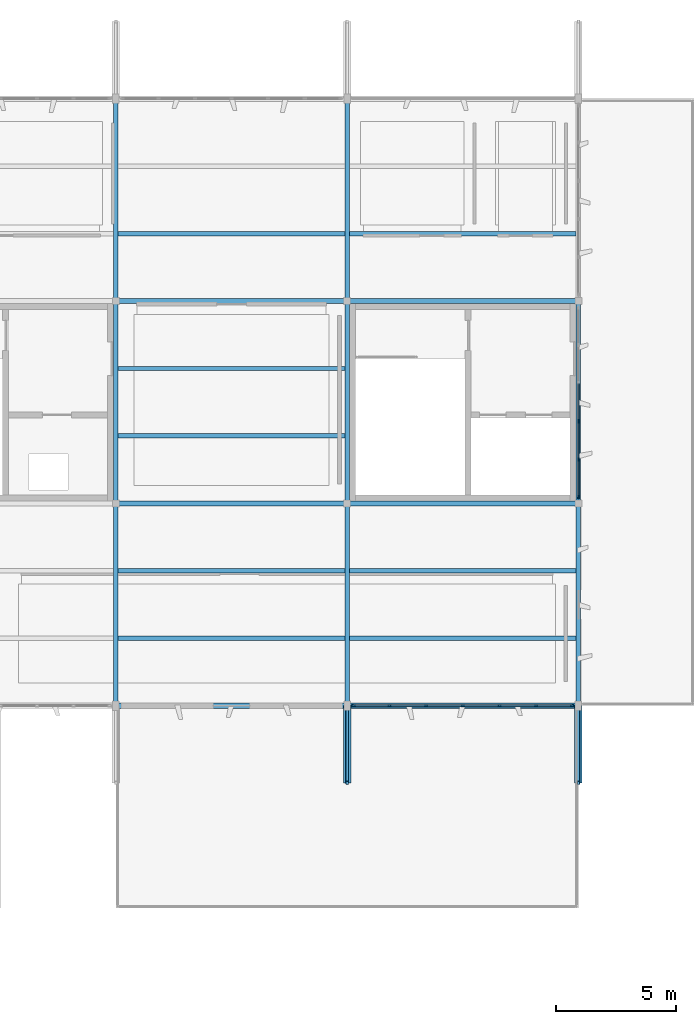
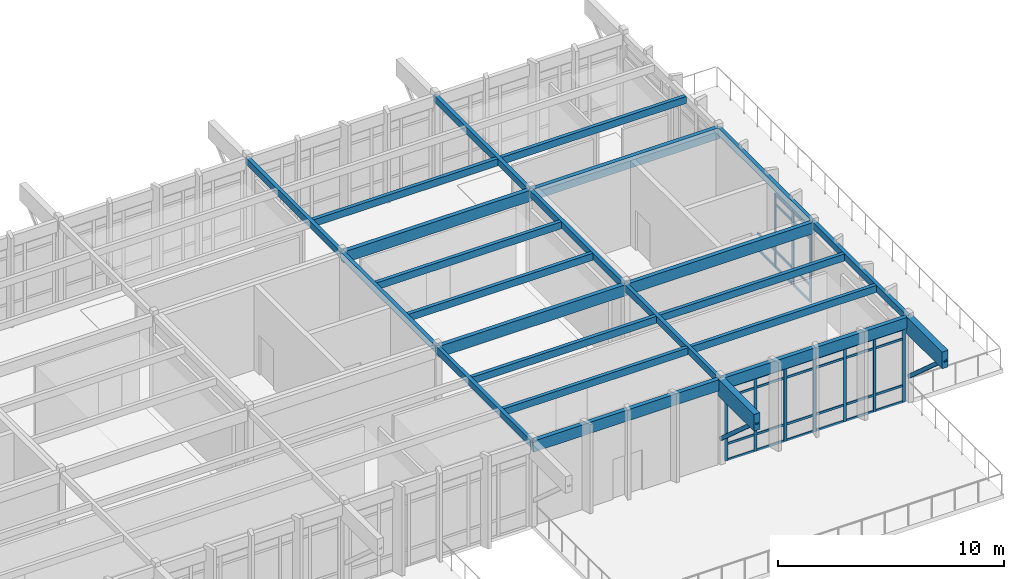
# One storey, part 6 of 19: 46 members, 24 beams, 2 elements without a shape of their own.
"""IFC4 building model written with IfcOpenShell, lengths in metres."""

import ifcopenshell
import ifcopenshell.guid

model = None  # the IFC model being written
_history = None  # IfcOwnerHistory: only IFC2X3 demands one
_inside = {}  # id of a spatial element -> (the spatial element, [elements in it])
_under = {}  # id of a project, library or spatial element -> (it, [spatial elements below it])
_declared = {}  # id of a project -> (the project, [libraries it declares])
_typed = {}  # id of a type object -> (the type object, [elements of that type])
_made_of = {}  # id of a material, layer set ... -> (it, [elements and type objects made of it])


def new_model(schema):
    """Start an empty IFC model of exactly this schema.

    Asked for "IFC4X3", IfcOpenShell would pick the latest addendum, in which some entities
    have other attributes; the version numbers below select the first issue.
    IFC2X3 requires an IfcOwnerHistory on every rooted entity: one is made here for all.
    """
    global model, _history
    if schema == "IFC4X3":
        model = ifcopenshell.file(schema_version=(4, 3, 0, 0))
    else:
        model = ifcopenshell.file(schema=schema)
    _inside.clear()
    _under.clear()
    _declared.clear()
    _typed.clear()
    _made_of.clear()
    _history = None
    if model.schema == "IFC2X3":
        org = make("IfcOrganization", Name="unknown")
        user = make(
            "IfcPersonAndOrganization",
            ThePerson=make("IfcPerson", FamilyName="unknown"),
            TheOrganization=org,
        )
        app = make(
            "IfcApplication",
            ApplicationDeveloper=org,
            Version="unknown",
            ApplicationFullName="unknown",
            ApplicationIdentifier="unknown",
        )
        _history = make(
            "IfcOwnerHistory",
            OwningUser=user,
            OwningApplication=app,
            ChangeAction="ADDED",
            CreationDate=0,
        )
    return model


def make(cls, **values):
    """One entity of the class cls with the attributes given. An attribute that is None is left unset."""
    return model.create_entity(
        cls, **{name: value for name, value in values.items() if value is not None}
    )


def rooted(cls, **values):
    """An entity with a GlobalId (a new one), such as an element, a storey or a relation."""
    return make(cls, GlobalId=ifcopenshell.guid.new(), OwnerHistory=_history, **values)


def si_unit(unit_type, name, prefix=None):
    """IfcSIUnit, for example si_unit("LENGTHUNIT", "METRE", prefix="MILLI")."""
    return make("IfcSIUnit", UnitType=unit_type, Prefix=prefix, Name=name)


def assignment(units):
    """IfcUnitAssignment: the units of a project."""
    return None if units is None else make("IfcUnitAssignment", Units=units)


def point(xyz):
    """IfcCartesianPoint."""
    return None if xyz is None else make("IfcCartesianPoint", Coordinates=xyz)


def direction(xyz):
    """IfcDirection."""
    return None if xyz is None else make("IfcDirection", DirectionRatios=xyz)


def frame(location, z_axis=None, x_axis=None):
    """IfcAxis2Placement3D, a coordinate frame: its origin and axes. An axis left out is left unset."""
    return make(
        "IfcAxis2Placement3D",
        Location=point(location),
        Axis=direction(z_axis),
        RefDirection=direction(x_axis),
    )


def frame_2d(location, x_axis=None):
    """IfcAxis2Placement2D, a coordinate frame in the plane: its origin and x axis."""
    return make(
        "IfcAxis2Placement2D", Location=point(location), RefDirection=direction(x_axis)
    )


def origin():
    """The frame at (0, 0, 0) with its axes left unset."""
    return frame((0.0, 0.0, 0.0))


def origin_2d():
    """The frame at (0, 0) in the plane with its x axis left unset."""
    return frame_2d((0.0, 0.0))


def place(relative_to, where):
    """IfcLocalPlacement: puts the frame where relative to a parent placement (None: the world)."""
    return make(
        "IfcLocalPlacement", PlacementRelTo=relative_to, RelativePlacement=where
    )


def context(
    kind, dimensions, precision=None, world=None, true_north=None, identifier=None
):
    """IfcGeometricRepresentationContext, for example the 3D "Model" context."""
    return make(
        "IfcGeometricRepresentationContext",
        ContextIdentifier=identifier,
        ContextType=kind,
        CoordinateSpaceDimension=dimensions,
        Precision=precision,
        WorldCoordinateSystem=world,
        TrueNorth=true_north,
    )


def subcontext(parent, identifier, kind, view, scale=None):
    """IfcGeometricRepresentationSubContext, for example "Body" below "Model"."""
    return make(
        "IfcGeometricRepresentationSubContext",
        ContextIdentifier=identifier,
        ContextType=kind,
        ParentContext=parent,
        TargetScale=scale,
        TargetView=view,
    )


def project(units=None, contexts=None):
    """IfcProject with its units and contexts."""
    return rooted(
        "IfcProject",
        Name="project",
        RepresentationContexts=contexts,
        UnitsInContext=assignment(units),
    )


def spatial(cls, under=None, at=None, **own):
    """A site, building, storey or space (cls), placed at a placement, below another one or the project."""
    s = rooted(cls, ObjectPlacement=at, **own)
    if under is not None:
        _under.setdefault(under.id(), (under, []))[1].append(s)
    return s


def profile(cls, at=None, kind="AREA", **sizes):
    """A parametric profile (cls). Its sizes go by their IFC names, for example OverallWidth=200.0."""
    return make(cls, ProfileType=kind, Position=at, **sizes)


def rectangle(**sizes):
    """IfcRectangleProfileDef."""
    return profile("IfcRectangleProfileDef", **sizes)


def hollow_rectangle(**sizes):
    """IfcRectangleHollowProfileDef."""
    return profile("IfcRectangleHollowProfileDef", **sizes)


def extrude(swept, where, along, depth):
    """IfcExtrudedAreaSolid: the profile swept, set in the frame where, extruded along a direction by depth."""
    return make(
        "IfcExtrudedAreaSolid",
        SweptArea=swept,
        Position=where,
        ExtrudedDirection=direction(along),
        Depth=depth,
    )


def shape(context_of_items, identifier, shape_type, items):
    """IfcShapeRepresentation: the items that make up one representation, for example the "Body"."""
    return make(
        "IfcShapeRepresentation",
        ContextOfItems=context_of_items,
        RepresentationIdentifier=identifier,
        RepresentationType=shape_type,
        Items=items,
    )


def material(Name=None, Category=None):
    """IfcMaterial."""
    return make("IfcMaterial", Name=Name, Category=Category)


def layer(
    of_material, thickness, ventilated=None, Name=None, Category=None, Priority=None
):
    """IfcMaterialLayer: one layer of a wall or slab, of a material (None: an air gap)."""
    return make(
        "IfcMaterialLayer",
        Material=of_material,
        LayerThickness=thickness,
        IsVentilated=ventilated,
        Name=Name,
        Category=Category,
        Priority=Priority,
    )


def layer_set(layers, Name=None):
    """IfcMaterialLayerSet."""
    return make("IfcMaterialLayerSet", MaterialLayers=layers, LayerSetName=Name)


def material_profile(
    of_material, cross_section, Name=None, Category=None, Priority=None
):
    """IfcMaterialProfile: a cross section and its material."""
    return make(
        "IfcMaterialProfile",
        Name=Name,
        Material=of_material,
        Profile=cross_section,
        Priority=Priority,
        Category=Category,
    )


def profile_set(profiles, Name=None, composite=None):
    """IfcMaterialProfileSet."""
    return make(
        "IfcMaterialProfileSet",
        Name=Name,
        MaterialProfiles=profiles,
        CompositeProfile=composite,
    )


def made_of(thing, what):
    """Note that an element or type object is made of a material, layer set ...; save() writes the relation."""
    if what is not None:
        _made_of.setdefault(what.id(), (what, []))[1].append(thing)
    return thing


def type_object(cls, material=None, **own):
    """A type object (cls), such as IfcWallType, which elements share."""
    return made_of(rooted(cls, **own), material)


def element(
    cls,
    number,
    at=None,
    inside=None,
    cuts=None,
    type_object=None,
    material=None,
    context=None,
    identifier="Body",
    shape_type=None,
    held_by="IfcProductDefinitionShape",
    body=None,
    shapes=None,
    **own,
):
    """One element of the class cls, such as IfcWall. Its Tag is "e" and its number.

    at: its placement. inside: the storey or other place that contains it. cuts: it is an
    opening in that element (IfcRelVoidsElement). A single representation is given by context,
    identifier, shape_type and body (its items); several are given by shapes. held_by: the class
    of the entity that holds the representations. save() writes the other relations.
    """
    e = rooted(cls, Tag="e%d" % number, ObjectPlacement=at, **own)
    if body is not None:
        shapes = [shape(context, identifier, shape_type, body)]
    if shapes is not None:
        e.Representation = make(held_by, Representations=shapes)
    if inside is not None:
        _inside.setdefault(inside.id(), (inside, []))[1].append(e)
    if cuts is not None:
        rooted(
            "IfcRelVoidsElement", RelatingBuildingElement=cuts, RelatedOpeningElement=e
        )
    if type_object is not None:
        _typed.setdefault(type_object.id(), (type_object, []))[1].append(e)
    return made_of(e, material)


def aggregate(whole, parts):
    """IfcRelAggregates: a whole, such as a stair, and the parts it consists of."""
    return rooted("IfcRelAggregates", RelatingObject=whole, RelatedObjects=parts)


def save(model, path):
    """Write the relations noted so far, then the file.

    IfcRelAggregates (storeys below a building ...), IfcRelContainedInSpatialStructure (elements
    in a storey), IfcRelDefinesByType, IfcRelAssociatesMaterial and IfcRelDeclares: one each for
    every whole, place, type object, material and project.
    """
    for whole, parts in _under.values():
        aggregate(whole, parts)
    for where, things in _inside.values():
        rooted(
            "IfcRelContainedInSpatialStructure",
            RelatedElements=things,
            RelatingStructure=where,
        )
    for kind, things in _typed.values():
        rooted("IfcRelDefinesByType", RelatedObjects=things, RelatingType=kind)
    for what, things in _made_of.values():
        rooted("IfcRelAssociatesMaterial", RelatedObjects=things, RelatingMaterial=what)
    for by, libraries in _declared.values():
        rooted("IfcRelDeclares", RelatingContext=by, RelatedDefinitions=libraries)
    model.write(path)


model = new_model("IFC4")

# Units and contexts
model_context = context("Model", 3, precision=1e-05, world=origin(), true_north=direction((0.0, 1.0)))
body_context = subcontext(model_context, "Body", "Model", "MODEL_VIEW")
ifc_project = project(units=[si_unit("LENGTHUNIT", "METRE"), si_unit("AREAUNIT", "SQUARE_METRE"), si_unit("VOLUMEUNIT", "CUBIC_METRE"), si_unit("PLANEANGLEUNIT", "RADIAN"), si_unit("MASSUNIT", "GRAM", prefix="KILO")], contexts=[model_context])

# Site, building, storey
site_placement = place(None, origin())
site = spatial("IfcSite", under=ifc_project, at=site_placement, CompositionType="ELEMENT")
building_placement = place(site_placement, origin())
building = spatial("IfcBuilding", under=site, at=building_placement, Name="Kolvemor Railside Polytechnic", CompositionType="ELEMENT")
storey_placement = place(building_placement, frame((0.0, 0.0, 27.0)))
storey = spatial("IfcBuildingStorey", under=building, at=storey_placement, Name="L06", CompositionType="ELEMENT", Elevation=27.0)

# Beams
ifc_material_1 = material(Name="Glulam GL28h", Category="wood")
ifc_material_profile_1 = material_profile(ifc_material_1, rectangle(XDim=0.31494140625, YDim=0.89990234375, at=origin_2d()), Name="GL315x900")
ifc_profile_set_1 = profile_set([ifc_material_profile_1], Name="Glulam GL28h")
beam_type_1 = type_object("IfcBeamType", Name="BM-GL-CANT", PredefinedType="BEAM", material=ifc_profile_set_1)
for number, where, z_axis, x_axis, name in (
    (1, (105.60009765625, 10.0, 4.114990234375), (0.0, 1.0, 0.0), (-1.0, 0.0, 0.0), "Cantilever Outrigger RF-GYC 1791"),
    (2, (115.199951171875, 10.0, 4.114990234375), (0.0, 1.0, 0.0), (-1.0, 0.0, 0.0), "Cantilever Outrigger RF-GYC 1798"),
):
    element("IfcBeam", number, at=place(storey_placement, frame(where, z_axis=z_axis, x_axis=x_axis)), inside=storey, type_object=beam_type_1, Name=name, PredefinedType="BEAM", context=body_context, shape_type="SweptSolid", body=[
        extrude(rectangle(XDim=0.31494140625, YDim=0.89990234375, at=origin_2d()), origin(), (0.0, 0.0, 1.0), 3.199951171875),
    ])
ifc_material_2 = material(Name="Glulam GL28h", Category="wood")
ifc_material_profile_2 = material_profile(ifc_material_2, rectangle(XDim=0.215087890625, YDim=0.60009765625, at=origin_2d()), Name="GL215x600")
ifc_profile_set_2 = profile_set([ifc_material_profile_2], Name="Glulam GL28h")
beam_type_2 = type_object("IfcBeamType", Name="BM-GL-EAVE", PredefinedType="BEAM", material=ifc_profile_set_2)
beam_1_placement = place(storey_placement, frame((96.0, 13.199951171875, 4.264892578125), z_axis=(1.0, 0.0, 0.0), x_axis=(0.0, 1.0, 0.0)))
element("IfcBeam", 3, at=beam_1_placement, inside=storey, type_object=beam_type_2, Name="Primary Girder RF-GX 1743", PredefinedType="BEAM", context=body_context, shape_type="SweptSolid", body=[
    extrude(rectangle(XDim=0.215087890625, YDim=0.60009765625, at=origin_2d()), origin(), (0.0, 0.0, 1.0), 9.60009765625),
])
beam_2_placement = place(storey_placement, frame((105.60009765625, 13.199951171875, 4.264892578125), z_axis=(1.0, 0.0, 0.0), x_axis=(0.0, 1.0, 0.0)))
element("IfcBeam", 4, at=beam_2_placement, inside=storey, type_object=beam_type_2, Name="Primary Girder RF-GX 1744", PredefinedType="BEAM", context=body_context, shape_type="SweptSolid", body=[
    extrude(rectangle(XDim=0.215087890625, YDim=0.60009765625, at=origin_2d()), origin(), (0.0, 0.0, 1.0), 9.599853515625),
])
beam_3_placement = place(storey_placement, frame((96.0, 21.60009765625, 4.264892578125), z_axis=(1.0, 0.0, 0.0), x_axis=(0.0, 1.0, 0.0)))
element("IfcBeam", 5, at=beam_3_placement, inside=storey, type_object=beam_type_2, Name="Primary Girder RF-GX 1748", PredefinedType="BEAM", context=body_context, shape_type="SweptSolid", body=[
    extrude(rectangle(XDim=0.215087890625, YDim=0.60009765625, at=origin_2d()), origin(), (0.0, 0.0, 1.0), 9.60009765625),
])
beam_4_placement = place(storey_placement, frame((105.60009765625, 21.60009765625, 4.264892578125), z_axis=(1.0, 0.0, 0.0), x_axis=(0.0, 1.0, 0.0)))
element("IfcBeam", 6, at=beam_4_placement, inside=storey, type_object=beam_type_2, Name="Primary Girder RF-GX 1749", PredefinedType="BEAM", context=body_context, shape_type="SweptSolid", body=[
    extrude(rectangle(XDim=0.215087890625, YDim=0.60009765625, at=origin_2d()), origin(), (0.0, 0.0, 1.0), 9.599853515625),
])
beam_5_placement = place(storey_placement, frame((96.0, 30.0, 4.264892578125), z_axis=(1.0, 0.0, 0.0), x_axis=(0.0, 1.0, 0.0)))
element("IfcBeam", 7, at=beam_5_placement, inside=storey, type_object=beam_type_2, Name="Primary Girder RF-GX 1753", PredefinedType="BEAM", context=body_context, shape_type="SweptSolid", body=[
    extrude(rectangle(XDim=0.215087890625, YDim=0.60009765625, at=origin_2d()), origin(), (0.0, 0.0, 1.0), 9.60009765625),
])
beam_6_placement = place(storey_placement, frame((105.60009765625, 30.0, 4.264892578125), z_axis=(1.0, 0.0, 0.0), x_axis=(0.0, 1.0, 0.0)))
element("IfcBeam", 8, at=beam_6_placement, inside=storey, type_object=beam_type_2, Name="Primary Girder RF-GX 1754", PredefinedType="BEAM", context=body_context, shape_type="SweptSolid", body=[
    extrude(rectangle(XDim=0.215087890625, YDim=0.60009765625, at=origin_2d()), origin(), (0.0, 0.0, 1.0), 9.599853515625),
])
ifc_material_3 = material(Name="Glulam GL28h", Category="wood")
ifc_material_profile_3 = material_profile(ifc_material_3, rectangle(XDim=0.18505859375, YDim=0.3798828125, at=origin_2d()), Name="GL185x380")
ifc_profile_set_3 = profile_set([ifc_material_profile_3], Name="Glulam GL28h")
beam_type_3 = type_object("IfcBeamType", Name="BM-GL-JST6", PredefinedType="JOIST", material=ifc_profile_set_3)
for number, where, z_axis, x_axis, name in (
    (9, (96.092041015625, 16.0, 4.375), (1.0, 0.0, 0.0), (0.0, 1.0, 0.0), "Floor Joist RF-J1816"),
    (10, (96.092041015625, 18.800048828125, 4.375), (1.0, 0.0, 0.0), (0.0, 1.0, 0.0), "Floor Joist RF-J1817"),
    (11, (96.092041015625, 24.39990234375, 4.375), (1.0, 0.0, 0.0), (0.0, 1.0, 0.0), "Floor Joist RF-J1818"),
    (12, (96.092041015625, 27.199951171875, 4.375), (1.0, 0.0, 0.0), (0.0, 1.0, 0.0), "Floor Joist RF-J1819"),
    (13, (96.092041015625, 32.800048828125, 4.375), (1.0, 0.0, 0.0), (0.0, 1.0, 0.0), "Floor Joist RF-J1820"),
    (14, (105.69189453125, 16.0, 4.375), (1.0, 0.0, 0.0), (0.0, 1.0, 0.0), "Floor Joist RF-J1822"),
    (15, (105.69189453125, 18.800048828125, 4.375), (1.0, 0.0, 0.0), (0.0, 1.0, 0.0), "Floor Joist RF-J1823"),
    (16, (105.69189453125, 32.800048828125, 4.375), (1.0, 0.0, 0.0), (0.0, 1.0, 0.0), "Floor Joist RF-J1824"),
):
    element("IfcBeam", number, at=place(storey_placement, frame(where, z_axis=z_axis, x_axis=x_axis)), inside=storey, type_object=beam_type_3, Name=name, PredefinedType="JOIST", context=body_context, shape_type="SweptSolid", body=[
        extrude(rectangle(XDim=0.18505859375, YDim=0.3798828125, at=origin_2d()), origin(), (0.0, 0.0, 1.0), 9.416015625),
    ])
ifc_material_4 = material(Name="Glulam GL28h", Category="wood")
ifc_material_profile_4 = material_profile(ifc_material_4, rectangle(XDim=0.18505859375, YDim=0.360107421875, at=origin_2d()), Name="GL185x360")
ifc_profile_set_4 = profile_set([ifc_material_profile_4], Name="Glulam GL28h")
beam_type_4 = type_object("IfcBeamType", Name="BM-GL-TRIM", PredefinedType="LINTEL", material=ifc_profile_set_4)
beam_7_placement = place(storey_placement, frame((96.0, 13.199951171875, 4.385009765625), z_axis=(0.0, 1.0, 0.0), x_axis=(-1.0, 0.0, 0.0)))
element("IfcBeam", 17, at=beam_7_placement, inside=storey, type_object=beam_type_4, Name="Primary Girder RF-GY 1781", PredefinedType="LINTEL", context=body_context, shape_type="SweptSolid", body=[
    extrude(rectangle(XDim=0.18505859375, YDim=0.360107421875, at=origin_2d()), origin(), (0.0, 0.0, 1.0), 8.400146484375),
])
for number, where, z_axis, x_axis, name in (
    (18, (96.0, 21.60009765625, 4.385009765625), (0.0, 1.0, 0.0), (-1.0, 0.0, 0.0), "Primary Girder RF-GY 1782"),
    (19, (96.0, 30.0, 4.385009765625), (0.0, 1.0, 0.0), (-1.0, 0.0, 0.0), "Primary Girder RF-GY 1783"),
):
    element("IfcBeam", number, at=place(storey_placement, frame(where, z_axis=z_axis, x_axis=x_axis)), inside=storey, type_object=beam_type_4, Name=name, PredefinedType="LINTEL", context=body_context, shape_type="SweptSolid", body=[
        extrude(rectangle(XDim=0.18505859375, YDim=0.360107421875, at=origin_2d()), origin(), (0.0, 0.0, 1.0), 8.39990234375),
    ])
beam_8_placement = place(storey_placement, frame((105.60009765625, 13.199951171875, 4.385009765625), z_axis=(0.0, 1.0, 0.0), x_axis=(-1.0, 0.0, 0.0)))
element("IfcBeam", 20, at=beam_8_placement, inside=storey, type_object=beam_type_4, Name="Primary Girder RF-GY 1788", PredefinedType="LINTEL", context=body_context, shape_type="SweptSolid", body=[
    extrude(rectangle(XDim=0.18505859375, YDim=0.360107421875, at=origin_2d()), origin(), (0.0, 0.0, 1.0), 8.400146484375),
])
for number, where, z_axis, x_axis, name in (
    (21, (105.60009765625, 21.60009765625, 4.385009765625), (0.0, 1.0, 0.0), (-1.0, 0.0, 0.0), "Primary Girder RF-GY 1789"),
    (22, (105.60009765625, 30.0, 4.385009765625), (0.0, 1.0, 0.0), (-1.0, 0.0, 0.0), "Primary Girder RF-GY 1790"),
):
    element("IfcBeam", number, at=place(storey_placement, frame(where, z_axis=z_axis, x_axis=x_axis)), inside=storey, type_object=beam_type_4, Name=name, PredefinedType="LINTEL", context=body_context, shape_type="SweptSolid", body=[
        extrude(rectangle(XDim=0.18505859375, YDim=0.360107421875, at=origin_2d()), origin(), (0.0, 0.0, 1.0), 8.39990234375),
    ])
beam_9_placement = place(storey_placement, frame((115.199951171875, 13.199951171875, 4.385009765625), z_axis=(0.0, 1.0, 0.0), x_axis=(-1.0, 0.0, 0.0)))
element("IfcBeam", 23, at=beam_9_placement, inside=storey, type_object=beam_type_4, Name="Primary Girder RF-GY 1795", PredefinedType="LINTEL", context=body_context, shape_type="SweptSolid", body=[
    extrude(rectangle(XDim=0.18505859375, YDim=0.360107421875, at=origin_2d()), origin(), (0.0, 0.0, 1.0), 8.400146484375),
])
beam_10_placement = place(storey_placement, frame((115.199951171875, 21.60009765625, 4.385009765625), z_axis=(0.0, 1.0, 0.0), x_axis=(-1.0, 0.0, 0.0)))
element("IfcBeam", 24, at=beam_10_placement, inside=storey, type_object=beam_type_4, Name="Primary Girder RF-GY 1796", PredefinedType="LINTEL", context=body_context, shape_type="SweptSolid", body=[
    extrude(rectangle(XDim=0.18505859375, YDim=0.360107421875, at=origin_2d()), origin(), (0.0, 0.0, 1.0), 8.39990234375),
])

# Curtain wall, members
ifc_material_5 = material(Name="Anodised marine aluminium and laminated low-E glass", Category="aluminium")
ifc_layer = layer(ifc_material_5, 0.179931640625, Name="CW-STICK-LIB")
ifc_layer_set = layer_set([ifc_layer], Name="Anodised marine aluminium and laminated low-E glass")
curtain_wall_type = type_object("IfcCurtainWallType", Name="CW-STICK-LIB", PredefinedType="USERDEFINED", material=ifc_layer_set)
curtain_wall_1_placement = place(storey_placement, origin())
curtain_wall_1 = element("IfcCurtainWall", 25, at=curtain_wall_1_placement, inside=storey, type_object=curtain_wall_type, Name="Curtain Wall L06-147", ObjectType="STICK GLAZED SCREEN", PredefinedType="USERDEFINED")
ifc_material_6 = material(Name="Anodised marine aluminium 6063-T6", Category="aluminium")
ifc_material_profile_5 = material_profile(ifc_material_6, rectangle(XDim=0.06494140625, YDim=0.14990234375, at=origin_2d()), Name="CW-MUL-65x150")
ifc_profile_set_5 = profile_set([ifc_material_profile_5], Name="Anodised marine aluminium 6063-T6")
member_type_1 = type_object("IfcMemberType", Name="CWM-65x150", PredefinedType="MULLION", material=ifc_profile_set_5)
member_1_placement = place(storey_placement, frame((105.87255859375, 13.199951171875, 0.0), z_axis=(0.0, 0.0, 1.0), x_axis=(0.0, 1.0, 0.0)))
member_1 = element("IfcMember", 26, at=member_1_placement, type_object=member_type_1, Name="CW-LIB mullion 1", PredefinedType="MULLION", context=body_context, shape_type="SweptSolid", body=[
    extrude(rectangle(XDim=0.06494140625, YDim=0.14990234375, at=origin_2d()), origin(), (0.0, 0.0, 1.0), 3.965087890625),
])
member_2_placement = place(storey_placement, frame((107.360107421875, 13.199951171875, 0.0), z_axis=(0.0, 0.0, 1.0), x_axis=(0.0, 1.0, 0.0)))
member_2 = element("IfcMember", 27, at=member_2_placement, type_object=member_type_1, Name="CW-LIB mullion 2", PredefinedType="MULLION", context=body_context, shape_type="SweptSolid", body=[
    extrude(rectangle(XDim=0.06494140625, YDim=0.14990234375, at=origin_2d()), origin(), (0.0, 0.0, 1.0), 3.965087890625),
])
member_3_placement = place(storey_placement, frame((108.8798828125, 13.199951171875, 0.0), z_axis=(0.0, 0.0, 1.0), x_axis=(0.0, 1.0, 0.0)))
member_3 = element("IfcMember", 28, at=member_3_placement, type_object=member_type_1, Name="CW-LIB mullion 3", PredefinedType="MULLION", context=body_context, shape_type="SweptSolid", body=[
    extrude(rectangle(XDim=0.06494140625, YDim=0.14990234375, at=origin_2d()), origin(), (0.0, 0.0, 1.0), 3.965087890625),
])
member_4_placement = place(storey_placement, frame((110.39990234375, 13.199951171875, 0.0), z_axis=(0.0, 0.0, 1.0), x_axis=(0.0, 1.0, 0.0)))
member_4 = element("IfcMember", 29, at=member_4_placement, type_object=member_type_1, Name="CW-LIB mullion 4", PredefinedType="MULLION", context=body_context, shape_type="SweptSolid", body=[
    extrude(rectangle(XDim=0.06494140625, YDim=0.14990234375, at=origin_2d()), origin(), (0.0, 0.0, 1.0), 3.965087890625),
])
member_5_placement = place(storey_placement, frame((111.919921875, 13.199951171875, 0.0), z_axis=(0.0, 0.0, 1.0), x_axis=(0.0, 1.0, 0.0)))
member_5 = element("IfcMember", 30, at=member_5_placement, type_object=member_type_1, Name="CW-LIB mullion 5", PredefinedType="MULLION", context=body_context, shape_type="SweptSolid", body=[
    extrude(rectangle(XDim=0.06494140625, YDim=0.14990234375, at=origin_2d()), origin(), (0.0, 0.0, 1.0), 3.965087890625),
])
member_6_placement = place(storey_placement, frame((113.43994140625, 13.199951171875, 0.0), z_axis=(0.0, 0.0, 1.0), x_axis=(0.0, 1.0, 0.0)))
member_6 = element("IfcMember", 31, at=member_6_placement, type_object=member_type_1, Name="CW-LIB mullion 6", PredefinedType="MULLION", context=body_context, shape_type="SweptSolid", body=[
    extrude(rectangle(XDim=0.06494140625, YDim=0.14990234375, at=origin_2d()), origin(), (0.0, 0.0, 1.0), 3.965087890625),
])
member_7_placement = place(storey_placement, frame((114.927490234375, 13.199951171875, 0.0), z_axis=(0.0, 0.0, 1.0), x_axis=(0.0, 1.0, 0.0)))
member_7 = element("IfcMember", 32, at=member_7_placement, type_object=member_type_1, Name="CW-LIB mullion 7", PredefinedType="MULLION", context=body_context, shape_type="SweptSolid", body=[
    extrude(rectangle(XDim=0.06494140625, YDim=0.14990234375, at=origin_2d()), origin(), (0.0, 0.0, 1.0), 3.965087890625),
])

curtain_wall_2_placement = place(storey_placement, origin())
curtain_wall_2 = element("IfcCurtainWall", 33, at=curtain_wall_2_placement, inside=storey, type_object=curtain_wall_type, Name="Curtain Wall L06-150", ObjectType="STICK GLAZED SCREEN", PredefinedType="USERDEFINED")
member_8_placement = place(storey_placement, frame((115.199951171875, 21.87255859375, 0.0), z_axis=(0.0, 0.0, 1.0), x_axis=(-1.0, 0.0, 0.0)))
member_8 = element("IfcMember", 34, at=member_8_placement, type_object=member_type_1, Name="CW-LIB mullion 1", PredefinedType="MULLION", context=body_context, shape_type="SweptSolid", body=[
    extrude(rectangle(XDim=0.06494140625, YDim=0.14990234375, at=origin_2d()), origin(), (0.0, 0.0, 1.0), 3.965087890625),
])
member_9_placement = place(storey_placement, frame((115.199951171875, 23.424072265625, 0.0), z_axis=(0.0, 0.0, 1.0), x_axis=(-1.0, 0.0, 0.0)))
member_9 = element("IfcMember", 35, at=member_9_placement, type_object=member_type_1, Name="CW-LIB mullion 2", PredefinedType="MULLION", context=body_context, shape_type="SweptSolid", body=[
    extrude(rectangle(XDim=0.06494140625, YDim=0.14990234375, at=origin_2d()), origin(), (0.0, 0.0, 1.0), 3.965087890625),
])
member_10_placement = place(storey_placement, frame((115.199951171875, 25.008056640625, 0.0), z_axis=(0.0, 0.0, 1.0), x_axis=(-1.0, 0.0, 0.0)))
member_10 = element("IfcMember", 36, at=member_10_placement, type_object=member_type_1, Name="CW-LIB mullion 3", PredefinedType="MULLION", context=body_context, shape_type="SweptSolid", body=[
    extrude(rectangle(XDim=0.06494140625, YDim=0.14990234375, at=origin_2d()), origin(), (0.0, 0.0, 1.0), 3.965087890625),
])

# Member
ifc_material_7 = material(Name="Anodised marine aluminium 6063-T6", Category="aluminium")
ifc_material_profile_6 = material_profile(ifc_material_7, rectangle(XDim=0.06494140625, YDim=0.1201171875, at=origin_2d()), Name="CW-TRN-65x120")
ifc_profile_set_6 = profile_set([ifc_material_profile_6], Name="Anodised marine aluminium 6063-T6")
member_type_2 = type_object("IfcMemberType", Name="CWT-65x120", PredefinedType="USERDEFINED", material=ifc_profile_set_6)
member_11_placement = place(storey_placement, frame((105.905029296875, 13.199951171875, 0.032470703125), z_axis=(1.0, 0.0, 0.0), x_axis=(0.0, 1.0, 0.0)))
member_11 = element("IfcMember", 37, at=member_11_placement, type_object=member_type_2, Name="CW-LIB transom 1.1", ObjectType="TRANSOM", PredefinedType="USERDEFINED", context=body_context, shape_type="SweptSolid", body=[
    extrude(rectangle(XDim=0.06494140625, YDim=0.1201171875, at=origin_2d()), origin(), (0.0, 0.0, 1.0), 1.42236328125),
])

member_12_placement = place(storey_placement, frame((105.905029296875, 13.199951171875, 0.89990234375), z_axis=(1.0, 0.0, 0.0), x_axis=(0.0, 1.0, 0.0)))
member_12 = element("IfcMember", 38, at=member_12_placement, type_object=member_type_2, Name="CW-LIB transom 1.2", ObjectType="TRANSOM", PredefinedType="USERDEFINED", context=body_context, shape_type="SweptSolid", body=[
    extrude(rectangle(XDim=0.06494140625, YDim=0.1201171875, at=origin_2d()), origin(), (0.0, 0.0, 1.0), 1.42236328125),
])

member_13_placement = place(storey_placement, frame((105.905029296875, 13.199951171875, 3.4150390625), z_axis=(1.0, 0.0, 0.0), x_axis=(0.0, 1.0, 0.0)))
member_13 = element("IfcMember", 39, at=member_13_placement, type_object=member_type_2, Name="CW-LIB transom 1.3", ObjectType="TRANSOM", PredefinedType="USERDEFINED", context=body_context, shape_type="SweptSolid", body=[
    extrude(rectangle(XDim=0.06494140625, YDim=0.1201171875, at=origin_2d()), origin(), (0.0, 0.0, 1.0), 1.42236328125),
])

member_14_placement = place(storey_placement, frame((105.905029296875, 13.199951171875, 3.9326171875), z_axis=(1.0, 0.0, 0.0), x_axis=(0.0, 1.0, 0.0)))
member_14 = element("IfcMember", 40, at=member_14_placement, type_object=member_type_2, Name="CW-LIB transom 1.4", ObjectType="TRANSOM", PredefinedType="USERDEFINED", context=body_context, shape_type="SweptSolid", body=[
    extrude(rectangle(XDim=0.06494140625, YDim=0.1201171875, at=origin_2d()), origin(), (0.0, 0.0, 1.0), 1.42236328125),
])

member_15_placement = place(storey_placement, frame((107.392578125, 13.199951171875, 0.032470703125), z_axis=(1.0, 0.0, 0.0), x_axis=(0.0, 1.0, 0.0)))
member_15 = element("IfcMember", 41, at=member_15_placement, type_object=member_type_2, Name="CW-LIB transom 2.1", ObjectType="TRANSOM", PredefinedType="USERDEFINED", context=body_context, shape_type="SweptSolid", body=[
    extrude(rectangle(XDim=0.06494140625, YDim=0.1201171875, at=origin_2d()), origin(), (0.0, 0.0, 1.0), 1.454833984375),
])

member_16_placement = place(storey_placement, frame((107.392578125, 13.199951171875, 0.89990234375), z_axis=(1.0, 0.0, 0.0), x_axis=(0.0, 1.0, 0.0)))
member_16 = element("IfcMember", 42, at=member_16_placement, type_object=member_type_2, Name="CW-LIB transom 2.2", ObjectType="TRANSOM", PredefinedType="USERDEFINED", context=body_context, shape_type="SweptSolid", body=[
    extrude(rectangle(XDim=0.06494140625, YDim=0.1201171875, at=origin_2d()), origin(), (0.0, 0.0, 1.0), 1.454833984375),
])

member_17_placement = place(storey_placement, frame((107.392578125, 13.199951171875, 3.4150390625), z_axis=(1.0, 0.0, 0.0), x_axis=(0.0, 1.0, 0.0)))
member_17 = element("IfcMember", 43, at=member_17_placement, type_object=member_type_2, Name="CW-LIB transom 2.3", ObjectType="TRANSOM", PredefinedType="USERDEFINED", context=body_context, shape_type="SweptSolid", body=[
    extrude(rectangle(XDim=0.06494140625, YDim=0.1201171875, at=origin_2d()), origin(), (0.0, 0.0, 1.0), 1.454833984375),
])

member_18_placement = place(storey_placement, frame((107.392578125, 13.199951171875, 3.9326171875), z_axis=(1.0, 0.0, 0.0), x_axis=(0.0, 1.0, 0.0)))
member_18 = element("IfcMember", 44, at=member_18_placement, type_object=member_type_2, Name="CW-LIB transom 2.4", ObjectType="TRANSOM", PredefinedType="USERDEFINED", context=body_context, shape_type="SweptSolid", body=[
    extrude(rectangle(XDim=0.06494140625, YDim=0.1201171875, at=origin_2d()), origin(), (0.0, 0.0, 1.0), 1.454833984375),
])

member_19_placement = place(storey_placement, frame((108.91259765625, 13.199951171875, 0.032470703125), z_axis=(1.0, 0.0, 0.0), x_axis=(0.0, 1.0, 0.0)))
member_19 = element("IfcMember", 45, at=member_19_placement, type_object=member_type_2, Name="CW-LIB transom 3.1", ObjectType="TRANSOM", PredefinedType="USERDEFINED", context=body_context, shape_type="SweptSolid", body=[
    extrude(rectangle(XDim=0.06494140625, YDim=0.1201171875, at=origin_2d()), origin(), (0.0, 0.0, 1.0), 1.454833984375),
])

member_20_placement = place(storey_placement, frame((108.91259765625, 13.199951171875, 0.89990234375), z_axis=(1.0, 0.0, 0.0), x_axis=(0.0, 1.0, 0.0)))
member_20 = element("IfcMember", 46, at=member_20_placement, type_object=member_type_2, Name="CW-LIB transom 3.2", ObjectType="TRANSOM", PredefinedType="USERDEFINED", context=body_context, shape_type="SweptSolid", body=[
    extrude(rectangle(XDim=0.06494140625, YDim=0.1201171875, at=origin_2d()), origin(), (0.0, 0.0, 1.0), 1.454833984375),
])

member_21_placement = place(storey_placement, frame((108.91259765625, 13.199951171875, 3.4150390625), z_axis=(1.0, 0.0, 0.0), x_axis=(0.0, 1.0, 0.0)))
member_21 = element("IfcMember", 47, at=member_21_placement, type_object=member_type_2, Name="CW-LIB transom 3.3", ObjectType="TRANSOM", PredefinedType="USERDEFINED", context=body_context, shape_type="SweptSolid", body=[
    extrude(rectangle(XDim=0.06494140625, YDim=0.1201171875, at=origin_2d()), origin(), (0.0, 0.0, 1.0), 1.454833984375),
])

member_22_placement = place(storey_placement, frame((108.91259765625, 13.199951171875, 3.9326171875), z_axis=(1.0, 0.0, 0.0), x_axis=(0.0, 1.0, 0.0)))
member_22 = element("IfcMember", 48, at=member_22_placement, type_object=member_type_2, Name="CW-LIB transom 3.4", ObjectType="TRANSOM", PredefinedType="USERDEFINED", context=body_context, shape_type="SweptSolid", body=[
    extrude(rectangle(XDim=0.06494140625, YDim=0.1201171875, at=origin_2d()), origin(), (0.0, 0.0, 1.0), 1.454833984375),
])

member_23_placement = place(storey_placement, frame((110.4326171875, 13.199951171875, 0.032470703125), z_axis=(1.0, 0.0, 0.0), x_axis=(0.0, 1.0, 0.0)))
member_23 = element("IfcMember", 49, at=member_23_placement, type_object=member_type_2, Name="CW-LIB transom 4.1", ObjectType="TRANSOM", PredefinedType="USERDEFINED", context=body_context, shape_type="SweptSolid", body=[
    extrude(rectangle(XDim=0.06494140625, YDim=0.1201171875, at=origin_2d()), origin(), (0.0, 0.0, 1.0), 1.454833984375),
])

member_24_placement = place(storey_placement, frame((110.4326171875, 13.199951171875, 0.89990234375), z_axis=(1.0, 0.0, 0.0), x_axis=(0.0, 1.0, 0.0)))
member_24 = element("IfcMember", 50, at=member_24_placement, type_object=member_type_2, Name="CW-LIB transom 4.2", ObjectType="TRANSOM", PredefinedType="USERDEFINED", context=body_context, shape_type="SweptSolid", body=[
    extrude(rectangle(XDim=0.06494140625, YDim=0.1201171875, at=origin_2d()), origin(), (0.0, 0.0, 1.0), 1.454833984375),
])

member_25_placement = place(storey_placement, frame((110.4326171875, 13.199951171875, 3.4150390625), z_axis=(1.0, 0.0, 0.0), x_axis=(0.0, 1.0, 0.0)))
member_25 = element("IfcMember", 51, at=member_25_placement, type_object=member_type_2, Name="CW-LIB transom 4.3", ObjectType="TRANSOM", PredefinedType="USERDEFINED", context=body_context, shape_type="SweptSolid", body=[
    extrude(rectangle(XDim=0.06494140625, YDim=0.1201171875, at=origin_2d()), origin(), (0.0, 0.0, 1.0), 1.454833984375),
])

member_26_placement = place(storey_placement, frame((110.4326171875, 13.199951171875, 3.9326171875), z_axis=(1.0, 0.0, 0.0), x_axis=(0.0, 1.0, 0.0)))
member_26 = element("IfcMember", 52, at=member_26_placement, type_object=member_type_2, Name="CW-LIB transom 4.4", ObjectType="TRANSOM", PredefinedType="USERDEFINED", context=body_context, shape_type="SweptSolid", body=[
    extrude(rectangle(XDim=0.06494140625, YDim=0.1201171875, at=origin_2d()), origin(), (0.0, 0.0, 1.0), 1.454833984375),
])

member_27_placement = place(storey_placement, frame((111.952392578125, 13.199951171875, 0.032470703125), z_axis=(1.0, 0.0, 0.0), x_axis=(0.0, 1.0, 0.0)))
member_27 = element("IfcMember", 53, at=member_27_placement, type_object=member_type_2, Name="CW-LIB transom 5.1", ObjectType="TRANSOM", PredefinedType="USERDEFINED", context=body_context, shape_type="SweptSolid", body=[
    extrude(rectangle(XDim=0.06494140625, YDim=0.1201171875, at=origin_2d()), origin(), (0.0, 0.0, 1.0), 1.455078125),
])

member_28_placement = place(storey_placement, frame((111.952392578125, 13.199951171875, 0.89990234375), z_axis=(1.0, 0.0, 0.0), x_axis=(0.0, 1.0, 0.0)))
member_28 = element("IfcMember", 54, at=member_28_placement, type_object=member_type_2, Name="CW-LIB transom 5.2", ObjectType="TRANSOM", PredefinedType="USERDEFINED", context=body_context, shape_type="SweptSolid", body=[
    extrude(rectangle(XDim=0.06494140625, YDim=0.1201171875, at=origin_2d()), origin(), (0.0, 0.0, 1.0), 1.455078125),
])

member_29_placement = place(storey_placement, frame((111.952392578125, 13.199951171875, 3.4150390625), z_axis=(1.0, 0.0, 0.0), x_axis=(0.0, 1.0, 0.0)))
member_29 = element("IfcMember", 55, at=member_29_placement, type_object=member_type_2, Name="CW-LIB transom 5.3", ObjectType="TRANSOM", PredefinedType="USERDEFINED", context=body_context, shape_type="SweptSolid", body=[
    extrude(rectangle(XDim=0.06494140625, YDim=0.1201171875, at=origin_2d()), origin(), (0.0, 0.0, 1.0), 1.455078125),
])

member_30_placement = place(storey_placement, frame((111.952392578125, 13.199951171875, 3.9326171875), z_axis=(1.0, 0.0, 0.0), x_axis=(0.0, 1.0, 0.0)))
member_30 = element("IfcMember", 56, at=member_30_placement, type_object=member_type_2, Name="CW-LIB transom 5.4", ObjectType="TRANSOM", PredefinedType="USERDEFINED", context=body_context, shape_type="SweptSolid", body=[
    extrude(rectangle(XDim=0.06494140625, YDim=0.1201171875, at=origin_2d()), origin(), (0.0, 0.0, 1.0), 1.455078125),
])

member_31_placement = place(storey_placement, frame((113.472412109375, 13.199951171875, 0.032470703125), z_axis=(1.0, 0.0, 0.0), x_axis=(0.0, 1.0, 0.0)))
member_31 = element("IfcMember", 57, at=member_31_placement, type_object=member_type_2, Name="CW-LIB transom 6.1", ObjectType="TRANSOM", PredefinedType="USERDEFINED", context=body_context, shape_type="SweptSolid", body=[
    extrude(rectangle(XDim=0.06494140625, YDim=0.1201171875, at=origin_2d()), origin(), (0.0, 0.0, 1.0), 1.422607421875),
])

member_32_placement = place(storey_placement, frame((113.472412109375, 13.199951171875, 0.89990234375), z_axis=(1.0, 0.0, 0.0), x_axis=(0.0, 1.0, 0.0)))
member_32 = element("IfcMember", 58, at=member_32_placement, type_object=member_type_2, Name="CW-LIB transom 6.2", ObjectType="TRANSOM", PredefinedType="USERDEFINED", context=body_context, shape_type="SweptSolid", body=[
    extrude(rectangle(XDim=0.06494140625, YDim=0.1201171875, at=origin_2d()), origin(), (0.0, 0.0, 1.0), 1.422607421875),
])

member_33_placement = place(storey_placement, frame((113.472412109375, 13.199951171875, 3.4150390625), z_axis=(1.0, 0.0, 0.0), x_axis=(0.0, 1.0, 0.0)))
member_33 = element("IfcMember", 59, at=member_33_placement, type_object=member_type_2, Name="CW-LIB transom 6.3", ObjectType="TRANSOM", PredefinedType="USERDEFINED", context=body_context, shape_type="SweptSolid", body=[
    extrude(rectangle(XDim=0.06494140625, YDim=0.1201171875, at=origin_2d()), origin(), (0.0, 0.0, 1.0), 1.422607421875),
])

member_34_placement = place(storey_placement, frame((113.472412109375, 13.199951171875, 3.9326171875), z_axis=(1.0, 0.0, 0.0), x_axis=(0.0, 1.0, 0.0)))
member_34 = element("IfcMember", 60, at=member_34_placement, type_object=member_type_2, Name="CW-LIB transom 6.4", ObjectType="TRANSOM", PredefinedType="USERDEFINED", context=body_context, shape_type="SweptSolid", body=[
    extrude(rectangle(XDim=0.06494140625, YDim=0.1201171875, at=origin_2d()), origin(), (0.0, 0.0, 1.0), 1.422607421875),
])

aggregate(curtain_wall_1, [member_1, member_2, member_3, member_4, member_5, member_6, member_7, member_11, member_12, member_13, member_14, member_15, member_16, member_17, member_18, member_19, member_20, member_21, member_22, member_23, member_24, member_25, member_26, member_27, member_28, member_29, member_30, member_31, member_32, member_33, member_34])

member_35_placement = place(storey_placement, frame((115.199951171875, 21.905029296875, 0.032470703125), z_axis=(0.0, 1.0, 0.0), x_axis=(-1.0, 0.0, 0.0)))
member_35 = element("IfcMember", 61, at=member_35_placement, type_object=member_type_2, Name="CW-LIB transom 1.1", ObjectType="TRANSOM", PredefinedType="USERDEFINED", context=body_context, shape_type="SweptSolid", body=[
    extrude(rectangle(XDim=0.06494140625, YDim=0.1201171875, at=origin_2d()), origin(), (0.0, 0.0, 1.0), 1.486572265625),
])

member_36_placement = place(storey_placement, frame((115.199951171875, 21.905029296875, 0.89990234375), z_axis=(0.0, 1.0, 0.0), x_axis=(-1.0, 0.0, 0.0)))
member_36 = element("IfcMember", 62, at=member_36_placement, type_object=member_type_2, Name="CW-LIB transom 1.2", ObjectType="TRANSOM", PredefinedType="USERDEFINED", context=body_context, shape_type="SweptSolid", body=[
    extrude(rectangle(XDim=0.06494140625, YDim=0.1201171875, at=origin_2d()), origin(), (0.0, 0.0, 1.0), 1.486572265625),
])

member_37_placement = place(storey_placement, frame((115.199951171875, 21.905029296875, 3.4150390625), z_axis=(0.0, 1.0, 0.0), x_axis=(-1.0, 0.0, 0.0)))
member_37 = element("IfcMember", 63, at=member_37_placement, type_object=member_type_2, Name="CW-LIB transom 1.3", ObjectType="TRANSOM", PredefinedType="USERDEFINED", context=body_context, shape_type="SweptSolid", body=[
    extrude(rectangle(XDim=0.06494140625, YDim=0.1201171875, at=origin_2d()), origin(), (0.0, 0.0, 1.0), 1.486572265625),
])

member_38_placement = place(storey_placement, frame((115.199951171875, 21.905029296875, 3.9326171875), z_axis=(0.0, 1.0, 0.0), x_axis=(-1.0, 0.0, 0.0)))
member_38 = element("IfcMember", 64, at=member_38_placement, type_object=member_type_2, Name="CW-LIB transom 1.4", ObjectType="TRANSOM", PredefinedType="USERDEFINED", context=body_context, shape_type="SweptSolid", body=[
    extrude(rectangle(XDim=0.06494140625, YDim=0.1201171875, at=origin_2d()), origin(), (0.0, 0.0, 1.0), 1.486572265625),
])

member_39_placement = place(storey_placement, frame((115.199951171875, 23.45654296875, 0.032470703125), z_axis=(0.0, 1.0, 0.0), x_axis=(-1.0, 0.0, 0.0)))
member_39 = element("IfcMember", 65, at=member_39_placement, type_object=member_type_2, Name="CW-LIB transom 2.1", ObjectType="TRANSOM", PredefinedType="USERDEFINED", context=body_context, shape_type="SweptSolid", body=[
    extrude(rectangle(XDim=0.06494140625, YDim=0.1201171875, at=origin_2d()), origin(), (0.0, 0.0, 1.0), 1.51904296875),
])

member_40_placement = place(storey_placement, frame((115.199951171875, 23.45654296875, 0.89990234375), z_axis=(0.0, 1.0, 0.0), x_axis=(-1.0, 0.0, 0.0)))
member_40 = element("IfcMember", 66, at=member_40_placement, type_object=member_type_2, Name="CW-LIB transom 2.2", ObjectType="TRANSOM", PredefinedType="USERDEFINED", context=body_context, shape_type="SweptSolid", body=[
    extrude(rectangle(XDim=0.06494140625, YDim=0.1201171875, at=origin_2d()), origin(), (0.0, 0.0, 1.0), 1.51904296875),
])

member_41_placement = place(storey_placement, frame((115.199951171875, 23.45654296875, 3.4150390625), z_axis=(0.0, 1.0, 0.0), x_axis=(-1.0, 0.0, 0.0)))
member_41 = element("IfcMember", 67, at=member_41_placement, type_object=member_type_2, Name="CW-LIB transom 2.3", ObjectType="TRANSOM", PredefinedType="USERDEFINED", context=body_context, shape_type="SweptSolid", body=[
    extrude(rectangle(XDim=0.06494140625, YDim=0.1201171875, at=origin_2d()), origin(), (0.0, 0.0, 1.0), 1.51904296875),
])

member_42_placement = place(storey_placement, frame((115.199951171875, 23.45654296875, 3.9326171875), z_axis=(0.0, 1.0, 0.0), x_axis=(-1.0, 0.0, 0.0)))
member_42 = element("IfcMember", 68, at=member_42_placement, type_object=member_type_2, Name="CW-LIB transom 2.4", ObjectType="TRANSOM", PredefinedType="USERDEFINED", context=body_context, shape_type="SweptSolid", body=[
    extrude(rectangle(XDim=0.06494140625, YDim=0.1201171875, at=origin_2d()), origin(), (0.0, 0.0, 1.0), 1.51904296875),
])

member_43_placement = place(storey_placement, frame((115.199951171875, 25.04052734375, 0.032470703125), z_axis=(0.0, 1.0, 0.0), x_axis=(-1.0, 0.0, 0.0)))
member_43 = element("IfcMember", 69, at=member_43_placement, type_object=member_type_2, Name="CW-LIB transom 3.1", ObjectType="TRANSOM", PredefinedType="USERDEFINED", context=body_context, shape_type="SweptSolid", body=[
    extrude(rectangle(XDim=0.06494140625, YDim=0.1201171875, at=origin_2d()), origin(), (0.0, 0.0, 1.0), 1.51904296875),
])

member_44_placement = place(storey_placement, frame((115.199951171875, 25.04052734375, 0.89990234375), z_axis=(0.0, 1.0, 0.0), x_axis=(-1.0, 0.0, 0.0)))
member_44 = element("IfcMember", 70, at=member_44_placement, type_object=member_type_2, Name="CW-LIB transom 3.2", ObjectType="TRANSOM", PredefinedType="USERDEFINED", context=body_context, shape_type="SweptSolid", body=[
    extrude(rectangle(XDim=0.06494140625, YDim=0.1201171875, at=origin_2d()), origin(), (0.0, 0.0, 1.0), 1.51904296875),
])

aggregate(curtain_wall_2, [member_8, member_9, member_10, member_35, member_36, member_37, member_38, member_39, member_40, member_41, member_42, member_43, member_44])

# Members
ifc_material_8 = material(Name="Steel S355", Category="steel")
ifc_material_profile_7 = material_profile(ifc_material_8, hollow_rectangle(XDim=0.1201171875, YDim=0.199951171875, WallThickness=0.008056640625, InnerFilletRadius=0.008056640625, OuterFilletRadius=0.01611328125, at=origin_2d()), Name="HSS200x120x8")
ifc_profile_set_7 = profile_set([ifc_material_profile_7], Name="Steel S355")
member_type_3 = type_object("IfcMemberType", Name="MEM-BR-HSS2", PredefinedType="BRACE", material=ifc_profile_set_7)
for number, where, z_axis, x_axis, name in (
    (71, (105.60009765625, 13.199951171875, 1.264892578125), (0.0, -0.746748845489, 0.665106128194), (1.0, 0.0, 0.0), "Overhang Knee Strut RF-KS1792"),
    (72, (115.199951171875, 13.199951171875, 1.264892578125), (0.0, -0.746748845489, 0.665106128194), (1.0, 0.0, 0.0), "Overhang Knee Strut RF-KS1799"),
):
    element("IfcMember", number, at=place(storey_placement, frame(where, z_axis=z_axis, x_axis=x_axis)), inside=storey, type_object=member_type_3, Name=name, PredefinedType="BRACE", context=body_context, shape_type="SweptSolid", body=[
        extrude(hollow_rectangle(XDim=0.1201171875, YDim=0.199951171875, WallThickness=0.008056640625, InnerFilletRadius=0.008056640625, OuterFilletRadius=0.01611328125, at=origin_2d()), origin(), (0.0, 0.0, 1.0), 4.28515625),
    ])

save(model, "model.ifc")
